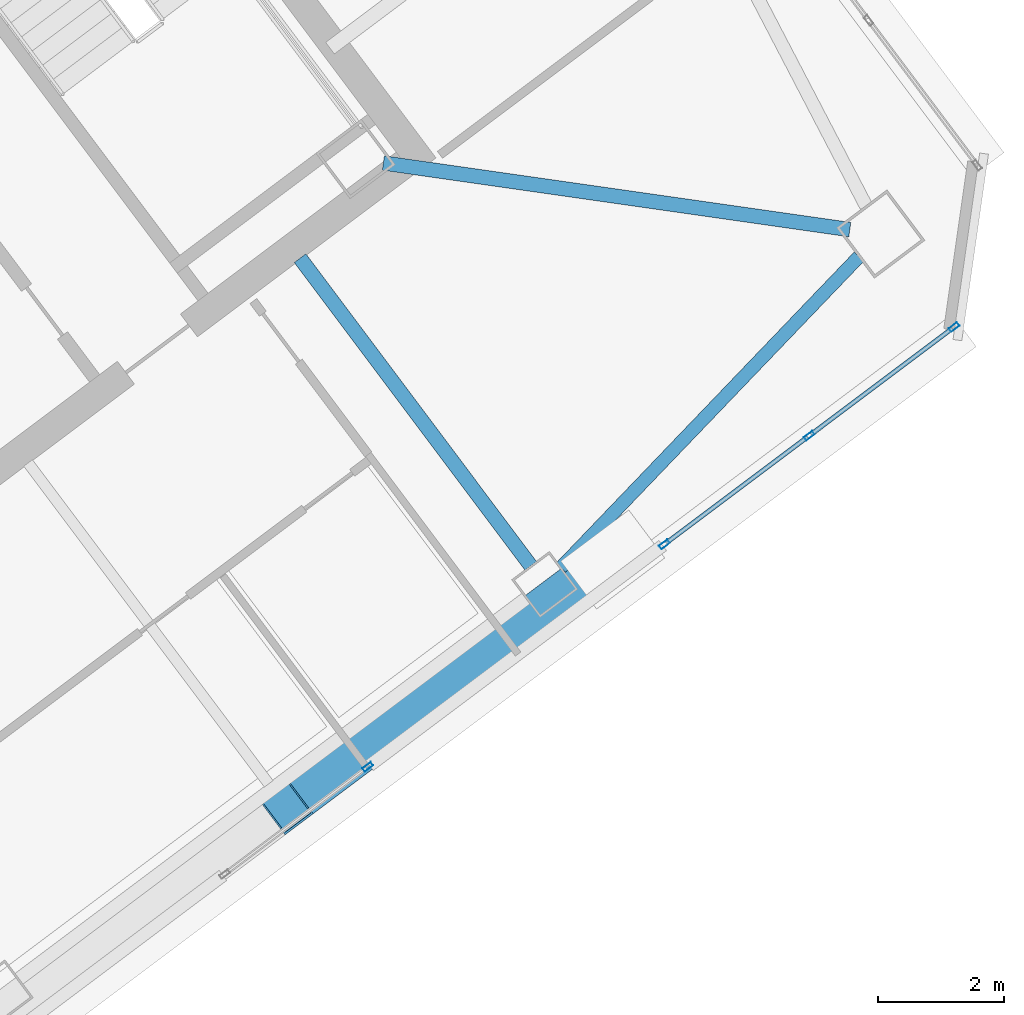
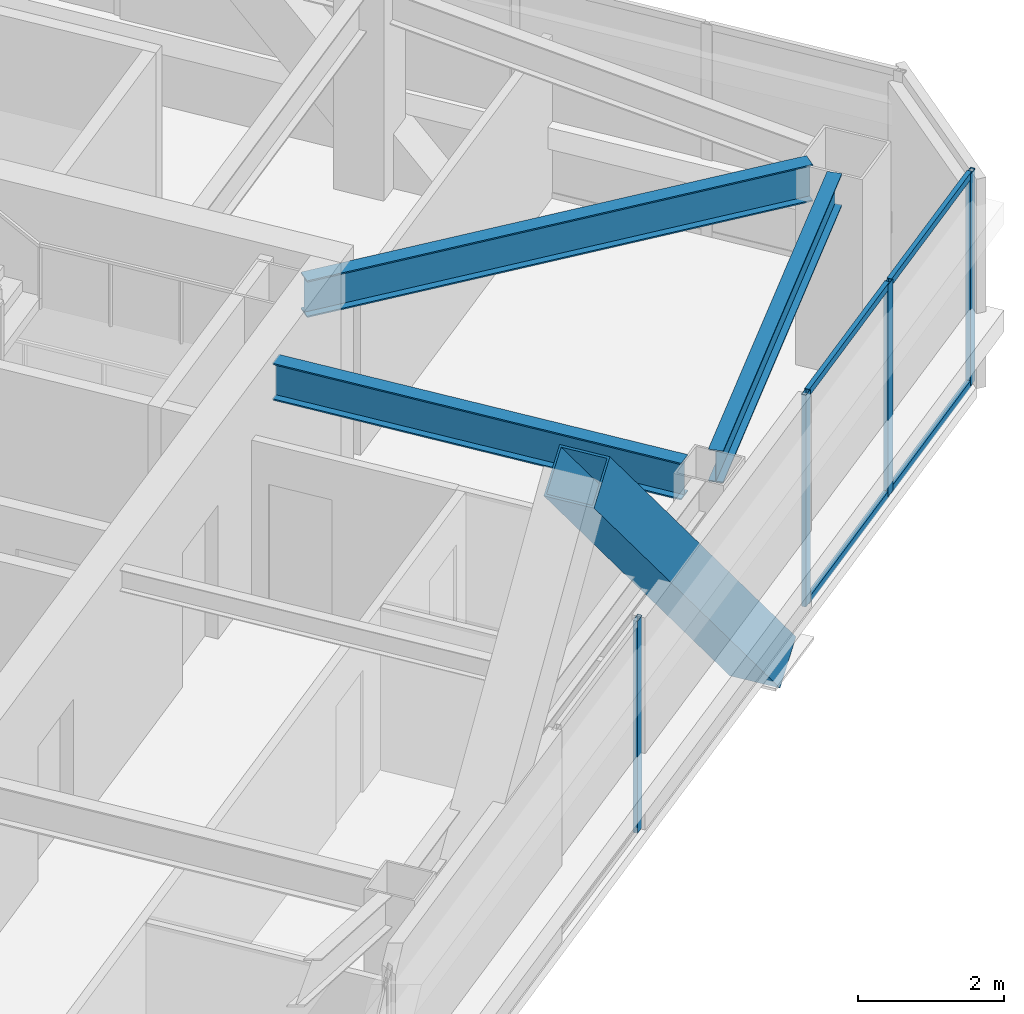
# One storey, part 23 of 39: 9 members, 3 beams, 2 elements without a shape of their own.
"""IFC4 building model written with IfcOpenShell, lengths in metres."""

from ifc_helpers import new_model, si_unit, direction, frame, origin, origin_2d, place, context, subcontext, project, spatial, hollow_rectangle, i_section, extrude, material, material_profile, profile_set, type_object, element, aggregate, save


model = new_model("IFC4")

# Units and contexts
model_context = context("Model", 3, precision=1e-05, world=origin(), true_north=direction((0.0, 1.0)))
body_context = subcontext(model_context, "Body", "Model", "MODEL_VIEW")
ifc_project = project(units=[si_unit("LENGTHUNIT", "METRE"), si_unit("AREAUNIT", "SQUARE_METRE"), si_unit("VOLUMEUNIT", "CUBIC_METRE"), si_unit("PLANEANGLEUNIT", "RADIAN"), si_unit("MASSUNIT", "GRAM", prefix="KILO")], contexts=[model_context])

# Site, building, storey
site_placement = place(None, origin())
site = spatial("IfcSite", under=ifc_project, at=site_placement, CompositionType="ELEMENT")
building_placement = place(site_placement, origin())
building = spatial("IfcBuilding", under=site, at=building_placement, Name="Tashvorn Skyway Center", CompositionType="ELEMENT")
storey_placement = place(building_placement, frame((0.0, 0.0, 239.699951171875)))
storey = spatial("IfcBuildingStorey", under=building, at=storey_placement, Name="L65", CompositionType="ELEMENT", Elevation=239.699951171875)

# Beams
ifc_material_1 = material(Name="Steel ASTM A992 Grade 50", Category="steel")
ifc_material_profile_1 = material_profile(ifc_material_1, i_section(OverallWidth=0.22998046875, OverallDepth=0.616943359375, WebThickness=0.01318359375, FlangeThickness=0.022216796875, at=origin_2d()), Name="W24X94")
ifc_profile_set_1 = profile_set([ifc_material_profile_1], Name="Steel ASTM A992 Grade 50")
beam_type_1 = type_object("IfcBeamType", Name="BM-BEAM-W24X94", PredefinedType="BEAM", material=ifc_profile_set_1)
beam_1_placement = place(storey_placement, frame((131.7099609375, 29.469970703125, 3.0615234375), z_axis=(-0.989948187102, 0.141430501853, 0.0), x_axis=(-0.141430501853, -0.989948187102, 0.0)))
element("IfcBeam", 1, at=beam_1_placement, inside=storey, type_object=beam_type_1, Name="Tower 2 L65 Primary Floor Girder MC-SE", PredefinedType="BEAM", context=body_context, shape_type="SweptSolid", body=[
    extrude(i_section(OverallWidth=0.22998046875, OverallDepth=0.616943359375, WebThickness=0.01318359375, FlangeThickness=0.022216796875, at=origin_2d()), origin(), (0.0, 0.0, 1.0), 7.474609375),
])
beam_2_placement = place(storey_placement, frame((126.64794921875, 24.135986328125, 3.0615234375), z_axis=(-0.599980788915, 0.800014407953, 0.0), x_axis=(-0.800014407953, -0.599980788915, 0.0)))
element("IfcBeam", 2, at=beam_2_placement, inside=storey, type_object=beam_type_1, Name="Tower 2 L65 Primary Floor Girder FC-S2", PredefinedType="BEAM", context=body_context, shape_type="SweptSolid", body=[
    extrude(i_section(OverallWidth=0.22998046875, OverallDepth=0.616943359375, WebThickness=0.01318359375, FlangeThickness=0.022216796875, at=origin_2d()), origin(), (0.0, 0.0, 1.0), 6.10009765625),
])
ifc_material_profile_2 = material_profile(ifc_material_1, i_section(OverallWidth=0.2109375, OverallDepth=0.5390625, WebThickness=0.01171875, FlangeThickness=0.018798828125, at=origin_2d()), Name="W21X73")
ifc_profile_set_2 = profile_set([ifc_material_profile_2], Name="Steel ASTM A992 Grade 50")
beam_type_2 = type_object("IfcBeamType", Name="BM-SPANDREL-W21X73", PredefinedType="SPANDREL", material=ifc_profile_set_2)
beam_3_placement = place(storey_placement, frame((127.1259765625, 24.107177734375, 3.1005859375), z_axis=(0.69202323926, 0.72187522213, 0.0), x_axis=(-0.72187522213, 0.69202323926, 0.0)))
element("IfcBeam", 3, at=beam_3_placement, inside=storey, type_object=beam_type_2, Name="Tower 2 L65 Spandrel Beam 03", PredefinedType="SPANDREL", context=body_context, shape_type="SweptSolid", body=[
    extrude(i_section(OverallWidth=0.2109375, OverallDepth=0.5390625, WebThickness=0.01171875, FlangeThickness=0.018798828125, at=origin_2d()), origin(), (0.0, 0.0, 1.0), 6.837158203125),
])

# Curtain wall, members
ifc_material_2 = material(Name="Thermally broken bronze-anodized aluminium 6063-T6", Category="aluminium")
curtain_wall_type = type_object("IfcCurtainWallType", Name="CW-CW-Z5", PredefinedType="NOTDEFINED", material=ifc_material_2)
curtain_wall_1_placement = place(storey_placement, origin())
curtain_wall_1 = element("IfcCurtainWall", 4, at=curtain_wall_1_placement, inside=storey, type_object=curtain_wall_type, Name="Tower 2 L65 South Unitised Curtain Wall Glazing Group 1", PredefinedType="NOTDEFINED")
ifc_material_profile_3 = material_profile(ifc_material_2, hollow_rectangle(XDim=0.070068359375, YDim=0.1650390625, WallThickness=0.00390625, at=origin_2d()), Name="ALU-MULL-70x165")
ifc_profile_set_3 = profile_set([ifc_material_profile_3], Name="Thermally broken bronze-anodized aluminium 6063-T6")
member_type_1 = type_object("IfcMemberType", Name="CWM-CW-Z5", PredefinedType="MULLION", material=ifc_profile_set_3)
member_1_placement = place(storey_placement, frame((133.364013671875, 27.923095703125, 0.0), z_axis=(0.0, 0.0, 1.0), x_axis=(0.599997247712, -0.800002064209, 0.0)))
member_1 = element("IfcMember", 5, at=member_1_placement, type_object=member_type_1, Name="CW-Z5 mullion 1", PredefinedType="MULLION", context=body_context, shape_type="SweptSolid", body=[
    extrude(hollow_rectangle(XDim=0.070068359375, YDim=0.1650390625, WallThickness=0.00390625, at=origin_2d()), origin(), (0.0, 0.0, 1.0), 3.550048828125),
])
member_2_placement = place(storey_placement, frame((131.066650390625, 26.199951171875, 0.0), z_axis=(0.0, 0.0, 1.0), x_axis=(0.599997247712, -0.800002064209, 0.0)))
member_2 = element("IfcMember", 6, at=member_2_placement, type_object=member_type_1, Name="CW-Z5 mullion 2", PredefinedType="MULLION", context=body_context, shape_type="SweptSolid", body=[
    extrude(hollow_rectangle(XDim=0.070068359375, YDim=0.1650390625, WallThickness=0.00390625, at=origin_2d()), origin(), (0.0, 0.0, 1.0), 3.550048828125),
])
member_3_placement = place(storey_placement, frame((128.769287109375, 24.47705078125, 0.0), z_axis=(0.0, 0.0, 1.0), x_axis=(0.599997247712, -0.800002064209, 0.0)))
member_3 = element("IfcMember", 7, at=member_3_placement, type_object=member_type_1, Name="CW-Z5 mullion 3", PredefinedType="MULLION", context=body_context, shape_type="SweptSolid", body=[
    extrude(hollow_rectangle(XDim=0.070068359375, YDim=0.1650390625, WallThickness=0.00390625, at=origin_2d()), origin(), (0.0, 0.0, 1.0), 3.550048828125),
])

# Curtain wall, member
curtain_wall_2_placement = place(storey_placement, origin())
curtain_wall_2 = element("IfcCurtainWall", 8, at=curtain_wall_2_placement, inside=storey, type_object=curtain_wall_type, Name="Tower 2 L65 South Unitised Curtain Wall Glazing Group 2", PredefinedType="NOTDEFINED")
member_4_placement = place(storey_placement, frame((124.062744140625, 20.947021484375, 0.0), z_axis=(0.0, 0.0, 1.0), x_axis=(0.599988990967, -0.800008256656, 0.0)))
member_4 = element("IfcMember", 9, at=member_4_placement, type_object=member_type_1, Name="CW-Z5 mullion 1", PredefinedType="MULLION", context=body_context, shape_type="SweptSolid", body=[
    extrude(hollow_rectangle(XDim=0.070068359375, YDim=0.1650390625, WallThickness=0.00390625, at=origin_2d()), origin(), (0.0, 0.0, 1.0), 3.550048828125),
])
aggregate(curtain_wall_2, [member_4])

# Member
ifc_material_profile_4 = material_profile(ifc_material_2, hollow_rectangle(XDim=0.070068359375, YDim=0.114990234375, WallThickness=0.00390625, at=origin_2d()), Name="ALU-TRAN-70x115")
ifc_profile_set_4 = profile_set([ifc_material_profile_4], Name="Thermally broken bronze-anodized aluminium 6063-T6")
member_type_2 = type_object("IfcMemberType", Name="CWT-CW-Z5", PredefinedType="USERDEFINED", material=ifc_profile_set_4)
member_5_placement = place(storey_placement, frame((133.3359375, 27.902099609375, 0.03515625), z_axis=(-0.799958170178, -0.600055769046, 0.0), x_axis=(0.600055769046, -0.799958170178, 0.0)))
member_5 = element("IfcMember", 10, at=member_5_placement, type_object=member_type_2, Name="CW-Z5 transom 1.1", ObjectType="TRANSOM", PredefinedType="USERDEFINED", context=body_context, shape_type="SweptSolid", body=[
    extrude(hollow_rectangle(XDim=0.070068359375, YDim=0.114990234375, WallThickness=0.00390625, at=origin_2d()), origin(), (0.0, 0.0, 1.0), 2.8017578125),
])

member_6_placement = place(storey_placement, frame((133.3359375, 27.902099609375, 3.51513671875), z_axis=(-0.799958170178, -0.600055769046, 0.0), x_axis=(0.600055769046, -0.799958170178, 0.0)))
member_6 = element("IfcMember", 11, at=member_6_placement, type_object=member_type_2, Name="CW-Z5 transom 1.2", ObjectType="TRANSOM", PredefinedType="USERDEFINED", context=body_context, shape_type="SweptSolid", body=[
    extrude(hollow_rectangle(XDim=0.070068359375, YDim=0.114990234375, WallThickness=0.00390625, at=origin_2d()), origin(), (0.0, 0.0, 1.0), 2.8017578125),
])

member_7_placement = place(storey_placement, frame((131.03857421875, 26.178955078125, 0.03515625), z_axis=(-0.8, -0.6, 0.0), x_axis=(0.6, -0.8, 0.0)))
member_7 = element("IfcMember", 12, at=member_7_placement, type_object=member_type_2, Name="CW-Z5 transom 2.1", ObjectType="TRANSOM", PredefinedType="USERDEFINED", context=body_context, shape_type="SweptSolid", body=[
    extrude(hollow_rectangle(XDim=0.070068359375, YDim=0.114990234375, WallThickness=0.00390625, at=origin_2d()), origin(), (0.0, 0.0, 1.0), 2.801513671875),
])

member_8_placement = place(storey_placement, frame((131.03857421875, 26.178955078125, 3.51513671875), z_axis=(-0.8, -0.6, 0.0), x_axis=(0.6, -0.8, 0.0)))
member_8 = element("IfcMember", 13, at=member_8_placement, type_object=member_type_2, Name="CW-Z5 transom 2.2", ObjectType="TRANSOM", PredefinedType="USERDEFINED", context=body_context, shape_type="SweptSolid", body=[
    extrude(hollow_rectangle(XDim=0.070068359375, YDim=0.114990234375, WallThickness=0.00390625, at=origin_2d()), origin(), (0.0, 0.0, 1.0), 2.801513671875),
])

aggregate(curtain_wall_1, [member_1, member_2, member_3, member_5, member_6, member_7, member_8])

ifc_material_3 = material(Name="Steel ASTM A572 Grade 50", Category="steel")
ifc_material_profile_5 = material_profile(ifc_material_3, hollow_rectangle(XDim=0.75, YDim=0.75, WallThickness=0.031982421875, at=origin_2d()), Name="BOX750x750x32")
ifc_profile_set_5 = profile_set([ifc_material_profile_5], Name="Steel ASTM A572 Grade 50")
member_type_3 = type_object("IfcMemberType", Name="MEM-MB-750", PredefinedType="BRACE", material=ifc_profile_set_5)
member_9_placement = place(storey_placement, frame((127.947998046875, 24.236083984375, -0.449951171875), z_axis=(-0.536077635064, -0.402077103157, 0.742263276945), x_axis=(0.600018028558, -0.799986478264, 0.0)))
element("IfcMember", 14, at=member_9_placement, inside=storey, type_object=member_type_3, Name="Tower 2 Zone 6 S Chevron Mega-Brace R2", PredefinedType="BRACE", context=body_context, shape_type="SweptSolid", body=[
    extrude(hollow_rectangle(XDim=0.75, YDim=0.75, WallThickness=0.031982421875, at=origin_2d()), origin(), (0.0, 0.0, 1.0), 9.699951171875),
])

save(model, "model.ifc")
